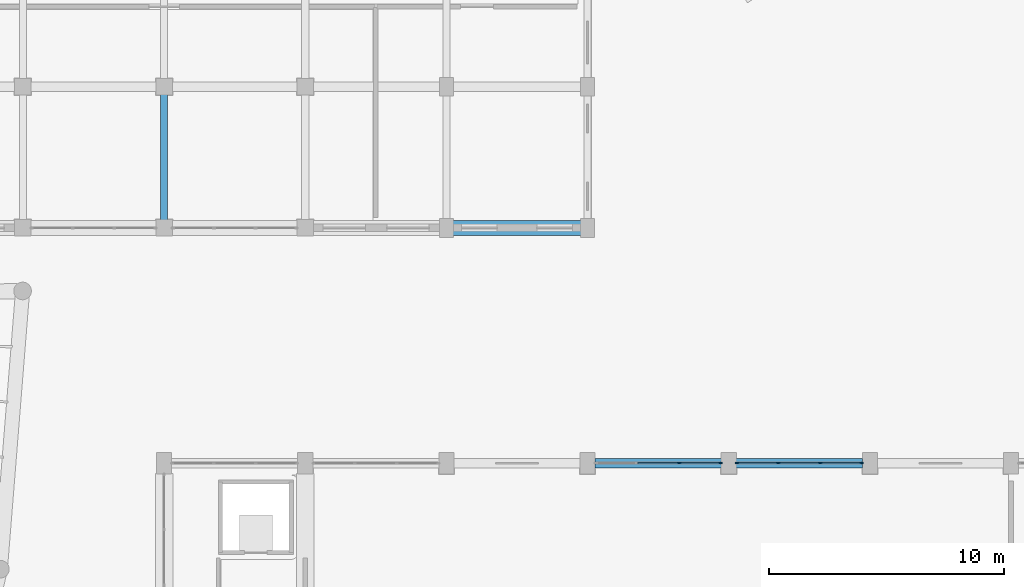
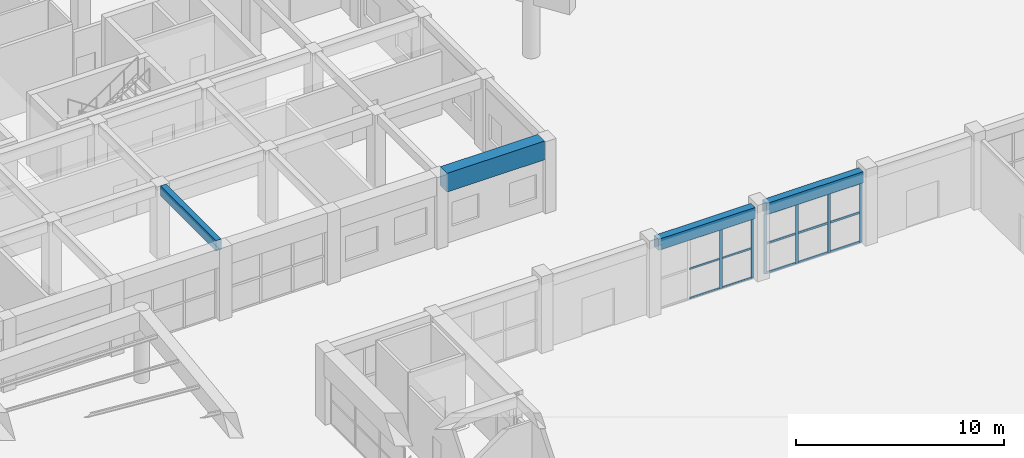
# One storey, part 26 of 76: 21 members, 4 beams, 2 elements without a shape of their own.
"""IFC4 building model written with IfcOpenShell, lengths in metres."""

from ifc_helpers import new_model, si_unit, direction, frame, origin, origin_2d, place, context, subcontext, project, spatial, rectangle, extrude, material, layer, layer_set, material_profile, profile_set, type_object, element, aggregate, save


model = new_model("IFC4")

# Units and contexts
model_context = context("Model", 3, precision=1e-05, world=origin(), true_north=direction((0.0, 1.0)))
body_context = subcontext(model_context, "Body", "Model", "MODEL_VIEW")
ifc_project = project(units=[si_unit("LENGTHUNIT", "METRE"), si_unit("AREAUNIT", "SQUARE_METRE"), si_unit("VOLUMEUNIT", "CUBIC_METRE"), si_unit("PLANEANGLEUNIT", "RADIAN"), si_unit("MASSUNIT", "GRAM", prefix="KILO"), si_unit("POWERUNIT", "WATT"), si_unit("THERMODYNAMICTEMPERATUREUNIT", "KELVIN")], contexts=[model_context])

# Site, building, storey
site_placement = place(None, origin())
site = spatial("IfcSite", under=ifc_project, at=site_placement, CompositionType="ELEMENT")
building_placement = place(site_placement, origin())
building = spatial("IfcBuilding", under=site, at=building_placement, Name="Ruvembo Vaulted Housing Court", CompositionType="ELEMENT")
storey_placement = place(building_placement, origin())
storey = spatial("IfcBuildingStorey", under=building, at=storey_placement, Name="L00", CompositionType="ELEMENT", Elevation=0.0)

# Beams
ifc_material_1 = material(Name="Concrete C35/45", Category="concrete")
ifc_material_profile_1 = material_profile(ifc_material_1, rectangle(XDim=0.300048828125, YDim=0.60009765625, at=origin_2d()), Name="RC 300x600")
ifc_profile_set_1 = profile_set([ifc_material_profile_1], Name="Concrete C35/45")
beam_type_1 = type_object("IfcBeamType", Name="BM-RC-300x600", PredefinedType="BEAM", material=ifc_profile_set_1)
beam_1_placement = place(storey_placement, frame((66.0, 78.3349609375, 3.929931640625), z_axis=(0.0, 1.0, 0.0), x_axis=(-1.0, 0.0, 0.0)))
element("IfcBeam", 1, at=beam_1_placement, inside=storey, type_object=beam_type_1, Name="L00 Grid Beam Y #1011", PredefinedType="BEAM", context=body_context, shape_type="SweptSolid", body=[
    extrude(rectangle(XDim=0.300048828125, YDim=0.60009765625, at=origin_2d()), origin(), (0.0, 0.0, 1.0), 5.330078125),
])
ifc_material_profile_2 = material_profile(ifc_material_1, rectangle(XDim=0.39990234375, YDim=0.64990234375, at=origin_2d()), Name="RC 400x650")
ifc_profile_set_2 = profile_set([ifc_material_profile_2], Name="Concrete C35/45")
beam_type_2 = type_object("IfcBeamType", Name="BM-RC-400x650", PredefinedType="BEAM", material=ifc_profile_set_2)
for number, where, z_axis, x_axis, name in (
    (2, (84.31005859375, 68.0, 3.905029296875), (1.0, 0.0, 0.0), (0.0, 1.0, 0.0), "L00 Grid Beam X #848"),
    (3, (90.31005859375, 68.0, 3.905029296875), (1.0, 0.0, 0.0), (0.0, 1.0, 0.0), "L00 Grid Beam X #849"),
):
    element("IfcBeam", number, at=place(storey_placement, frame(where, z_axis=z_axis, x_axis=x_axis)), inside=storey, type_object=beam_type_2, Name=name, PredefinedType="BEAM", context=body_context, shape_type="SweptSolid", body=[
        extrude(rectangle(XDim=0.39990234375, YDim=0.64990234375, at=origin_2d()), origin(), (0.0, 0.0, 1.0), 5.3798828125),
    ])

# Curtain wall, members
ifc_material_2 = material(Name="Anodised Aluminium and Solar-Control Glass", Category="aluminium")
ifc_layer = layer(ifc_material_2, 0.159912109375, Name="Anodised Aluminium and Solar-Control Glass")
ifc_layer_set = layer_set([ifc_layer], Name="Anodised Aluminium and Solar-Control Glass")
curtain_wall_type = type_object("IfcCurtainWallType", Name="CW-HALL-SIDE", PredefinedType="NOTDEFINED", material=ifc_layer_set)
curtain_wall_1_placement = place(storey_placement, origin())
curtain_wall_1 = element("IfcCurtainWall", 4, at=curtain_wall_1_placement, inside=storey, type_object=curtain_wall_type, Name="L00 Curtain Wall CW-L00-0101", PredefinedType="NOTDEFINED")
ifc_material_3 = material(Name="Anodised Aluminium 6063-T6", Category="aluminium")
ifc_material_profile_3 = material_profile(ifc_material_3, rectangle(XDim=0.06005859375, YDim=0.159912109375, at=origin_2d()), Name="ALU 60x160")
ifc_profile_set_3 = profile_set([ifc_material_profile_3], Name="Anodised Aluminium 6063-T6")
member_type_1 = type_object("IfcMemberType", Name="CW-MULLION-65x150", PredefinedType="MULLION", material=ifc_profile_set_3)
member_1_placement = place(storey_placement, frame((87.8916015625, 68.0, 0.0), z_axis=(0.0, 0.0, 1.0), x_axis=(0.0, 1.0, 0.0)))
member_1 = element("IfcMember", 5, at=member_1_placement, type_object=member_type_1, Name="CW1 mullion 3", PredefinedType="MULLION", context=body_context, shape_type="SweptSolid", body=[
    extrude(rectangle(XDim=0.06005859375, YDim=0.159912109375, at=origin_2d()), origin(), (0.0, 0.0, 1.0), 3.511962890625),
])
member_2_placement = place(storey_placement, frame((89.64501953125, 68.0, 0.0), z_axis=(0.0, 0.0, 1.0), x_axis=(0.0, 1.0, 0.0)))
member_2 = element("IfcMember", 6, at=member_2_placement, type_object=member_type_1, Name="CW1 mullion 4", PredefinedType="MULLION", context=body_context, shape_type="SweptSolid", body=[
    extrude(rectangle(XDim=0.06005859375, YDim=0.159912109375, at=origin_2d()), origin(), (0.0, 0.0, 1.0), 3.511962890625),
])

curtain_wall_2_placement = place(storey_placement, origin())
curtain_wall_2 = element("IfcCurtainWall", 7, at=curtain_wall_2_placement, inside=storey, type_object=curtain_wall_type, Name="L00 Curtain Wall CW-L00-0105", PredefinedType="NOTDEFINED")
member_3_placement = place(storey_placement, frame((90.35498046875, 68.0, 0.0), z_axis=(0.0, 0.0, 1.0), x_axis=(0.0, 1.0, 0.0)))
member_3 = element("IfcMember", 8, at=member_3_placement, type_object=member_type_1, Name="CW1 mullion 1", PredefinedType="MULLION", context=body_context, shape_type="SweptSolid", body=[
    extrude(rectangle(XDim=0.06005859375, YDim=0.159912109375, at=origin_2d()), origin(), (0.0, 0.0, 1.0), 3.511962890625),
])
member_4_placement = place(storey_placement, frame((92.1083984375, 68.0, 0.0), z_axis=(0.0, 0.0, 1.0), x_axis=(0.0, 1.0, 0.0)))
member_4 = element("IfcMember", 9, at=member_4_placement, type_object=member_type_1, Name="CW1 mullion 2", PredefinedType="MULLION", context=body_context, shape_type="SweptSolid", body=[
    extrude(rectangle(XDim=0.06005859375, YDim=0.159912109375, at=origin_2d()), origin(), (0.0, 0.0, 1.0), 3.511962890625),
])
member_5_placement = place(storey_placement, frame((93.8916015625, 68.0, 0.0), z_axis=(0.0, 0.0, 1.0), x_axis=(0.0, 1.0, 0.0)))
member_5 = element("IfcMember", 10, at=member_5_placement, type_object=member_type_1, Name="CW1 mullion 3", PredefinedType="MULLION", context=body_context, shape_type="SweptSolid", body=[
    extrude(rectangle(XDim=0.06005859375, YDim=0.159912109375, at=origin_2d()), origin(), (0.0, 0.0, 1.0), 3.511962890625),
])
member_6_placement = place(storey_placement, frame((95.64501953125, 68.0, 0.0), z_axis=(0.0, 0.0, 1.0), x_axis=(0.0, 1.0, 0.0)))
member_6 = element("IfcMember", 11, at=member_6_placement, type_object=member_type_1, Name="CW1 mullion 4", PredefinedType="MULLION", context=body_context, shape_type="SweptSolid", body=[
    extrude(rectangle(XDim=0.06005859375, YDim=0.159912109375, at=origin_2d()), origin(), (0.0, 0.0, 1.0), 3.511962890625),
])
ifc_material_profile_4 = material_profile(ifc_material_3, rectangle(XDim=0.06005859375, YDim=0.1201171875, at=origin_2d()), Name="ALU 60x120")
ifc_profile_set_4 = profile_set([ifc_material_profile_4], Name="Anodised Aluminium 6063-T6")
member_type_2 = type_object("IfcMemberType", Name="CW-TRANSOM-65x120", PredefinedType="USERDEFINED", material=ifc_profile_set_4)
member_7_placement = place(storey_placement, frame((90.385009765625, 68.0, 0.030029296875), z_axis=(1.0, 0.0, 0.0), x_axis=(0.0, 1.0, 0.0)))
member_7 = element("IfcMember", 12, at=member_7_placement, type_object=member_type_2, Name="CW1 transom 1.1", ObjectType="TRANSOM", PredefinedType="USERDEFINED", context=body_context, shape_type="SweptSolid", body=[
    extrude(rectangle(XDim=0.06005859375, YDim=0.1201171875, at=origin_2d()), origin(), (0.0, 0.0, 1.0), 1.693359375),
])
member_8_placement = place(storey_placement, frame((90.385009765625, 68.0, 1.756103515625), z_axis=(1.0, 0.0, 0.0), x_axis=(0.0, 1.0, 0.0)))
member_8 = element("IfcMember", 13, at=member_8_placement, type_object=member_type_2, Name="CW1 transom 1.2", ObjectType="TRANSOM", PredefinedType="USERDEFINED", context=body_context, shape_type="SweptSolid", body=[
    extrude(rectangle(XDim=0.06005859375, YDim=0.1201171875, at=origin_2d()), origin(), (0.0, 0.0, 1.0), 1.693359375),
])
member_9_placement = place(storey_placement, frame((90.385009765625, 68.0, 3.48193359375), z_axis=(1.0, 0.0, 0.0), x_axis=(0.0, 1.0, 0.0)))
member_9 = element("IfcMember", 14, at=member_9_placement, type_object=member_type_2, Name="CW1 transom 1.3", ObjectType="TRANSOM", PredefinedType="USERDEFINED", context=body_context, shape_type="SweptSolid", body=[
    extrude(rectangle(XDim=0.06005859375, YDim=0.1201171875, at=origin_2d()), origin(), (0.0, 0.0, 1.0), 1.693359375),
])
member_10_placement = place(storey_placement, frame((92.138427734375, 68.0, 0.030029296875), z_axis=(1.0, 0.0, 0.0), x_axis=(0.0, 1.0, 0.0)))
member_10 = element("IfcMember", 15, at=member_10_placement, type_object=member_type_2, Name="CW1 transom 2.1", ObjectType="TRANSOM", PredefinedType="USERDEFINED", context=body_context, shape_type="SweptSolid", body=[
    extrude(rectangle(XDim=0.06005859375, YDim=0.1201171875, at=origin_2d()), origin(), (0.0, 0.0, 1.0), 1.72314453125),
])
member_11_placement = place(storey_placement, frame((92.138427734375, 68.0, 1.756103515625), z_axis=(1.0, 0.0, 0.0), x_axis=(0.0, 1.0, 0.0)))
member_11 = element("IfcMember", 16, at=member_11_placement, type_object=member_type_2, Name="CW1 transom 2.2", ObjectType="TRANSOM", PredefinedType="USERDEFINED", context=body_context, shape_type="SweptSolid", body=[
    extrude(rectangle(XDim=0.06005859375, YDim=0.1201171875, at=origin_2d()), origin(), (0.0, 0.0, 1.0), 1.72314453125),
])
member_12_placement = place(storey_placement, frame((92.138427734375, 68.0, 3.48193359375), z_axis=(1.0, 0.0, 0.0), x_axis=(0.0, 1.0, 0.0)))
member_12 = element("IfcMember", 17, at=member_12_placement, type_object=member_type_2, Name="CW1 transom 2.3", ObjectType="TRANSOM", PredefinedType="USERDEFINED", context=body_context, shape_type="SweptSolid", body=[
    extrude(rectangle(XDim=0.06005859375, YDim=0.1201171875, at=origin_2d()), origin(), (0.0, 0.0, 1.0), 1.72314453125),
])
member_13_placement = place(storey_placement, frame((93.921630859375, 68.0, 0.030029296875), z_axis=(1.0, 0.0, 0.0), x_axis=(0.0, 1.0, 0.0)))
member_13 = element("IfcMember", 18, at=member_13_placement, type_object=member_type_2, Name="CW1 transom 3.1", ObjectType="TRANSOM", PredefinedType="USERDEFINED", context=body_context, shape_type="SweptSolid", body=[
    extrude(rectangle(XDim=0.06005859375, YDim=0.1201171875, at=origin_2d()), origin(), (0.0, 0.0, 1.0), 1.693359375),
])
member_14_placement = place(storey_placement, frame((93.921630859375, 68.0, 1.756103515625), z_axis=(1.0, 0.0, 0.0), x_axis=(0.0, 1.0, 0.0)))
member_14 = element("IfcMember", 19, at=member_14_placement, type_object=member_type_2, Name="CW1 transom 3.2", ObjectType="TRANSOM", PredefinedType="USERDEFINED", context=body_context, shape_type="SweptSolid", body=[
    extrude(rectangle(XDim=0.06005859375, YDim=0.1201171875, at=origin_2d()), origin(), (0.0, 0.0, 1.0), 1.693359375),
])
member_15_placement = place(storey_placement, frame((93.921630859375, 68.0, 3.48193359375), z_axis=(1.0, 0.0, 0.0), x_axis=(0.0, 1.0, 0.0)))
member_15 = element("IfcMember", 20, at=member_15_placement, type_object=member_type_2, Name="CW1 transom 3.3", ObjectType="TRANSOM", PredefinedType="USERDEFINED", context=body_context, shape_type="SweptSolid", body=[
    extrude(rectangle(XDim=0.06005859375, YDim=0.1201171875, at=origin_2d()), origin(), (0.0, 0.0, 1.0), 1.693359375),
])
aggregate(curtain_wall_2, [member_3, member_4, member_5, member_6, member_7, member_8, member_9, member_10, member_11, member_12, member_13, member_14, member_15])

# Member
ifc_material_profile_5 = material_profile(ifc_material_3, rectangle(XDim=0.06005859375, YDim=0.10009765625, at=origin_2d()), Name="ALU 60x100")
ifc_profile_set_5 = profile_set([ifc_material_profile_5], Name="Anodised Aluminium 6063-T6")
member_type_3 = type_object("IfcMemberType", Name="CW-TRN-60x100", PredefinedType="USERDEFINED", material=ifc_profile_set_5)
member_16_placement = place(storey_placement, frame((86.138427734375, 68.0, 0.030029296875), z_axis=(1.0, 0.0, 0.0), x_axis=(0.0, 1.0, 0.0)))
member_16 = element("IfcMember", 21, at=member_16_placement, type_object=member_type_3, Name="CW1 transom 2.1", ObjectType="TRANSOM", PredefinedType="USERDEFINED", context=body_context, shape_type="SweptSolid", body=[
    extrude(rectangle(XDim=0.06005859375, YDim=0.10009765625, at=origin_2d()), origin(), (0.0, 0.0, 1.0), 1.72314453125),
])

member_17_placement = place(storey_placement, frame((86.138427734375, 68.0, 1.756103515625), z_axis=(1.0, 0.0, 0.0), x_axis=(0.0, 1.0, 0.0)))
member_17 = element("IfcMember", 22, at=member_17_placement, type_object=member_type_3, Name="CW1 transom 2.2", ObjectType="TRANSOM", PredefinedType="USERDEFINED", context=body_context, shape_type="SweptSolid", body=[
    extrude(rectangle(XDim=0.06005859375, YDim=0.10009765625, at=origin_2d()), origin(), (0.0, 0.0, 1.0), 1.72314453125),
])

member_18_placement = place(storey_placement, frame((86.138427734375, 68.0, 3.48193359375), z_axis=(1.0, 0.0, 0.0), x_axis=(0.0, 1.0, 0.0)))
member_18 = element("IfcMember", 23, at=member_18_placement, type_object=member_type_3, Name="CW1 transom 2.3", ObjectType="TRANSOM", PredefinedType="USERDEFINED", context=body_context, shape_type="SweptSolid", body=[
    extrude(rectangle(XDim=0.06005859375, YDim=0.10009765625, at=origin_2d()), origin(), (0.0, 0.0, 1.0), 1.72314453125),
])

member_19_placement = place(storey_placement, frame((87.921630859375, 68.0, 0.030029296875), z_axis=(1.0, 0.0, 0.0), x_axis=(0.0, 1.0, 0.0)))
member_19 = element("IfcMember", 24, at=member_19_placement, type_object=member_type_3, Name="CW1 transom 3.1", ObjectType="TRANSOM", PredefinedType="USERDEFINED", context=body_context, shape_type="SweptSolid", body=[
    extrude(rectangle(XDim=0.06005859375, YDim=0.10009765625, at=origin_2d()), origin(), (0.0, 0.0, 1.0), 1.693359375),
])

member_20_placement = place(storey_placement, frame((87.921630859375, 68.0, 1.756103515625), z_axis=(1.0, 0.0, 0.0), x_axis=(0.0, 1.0, 0.0)))
member_20 = element("IfcMember", 25, at=member_20_placement, type_object=member_type_3, Name="CW1 transom 3.2", ObjectType="TRANSOM", PredefinedType="USERDEFINED", context=body_context, shape_type="SweptSolid", body=[
    extrude(rectangle(XDim=0.06005859375, YDim=0.10009765625, at=origin_2d()), origin(), (0.0, 0.0, 1.0), 1.693359375),
])

member_21_placement = place(storey_placement, frame((87.921630859375, 68.0, 3.48193359375), z_axis=(1.0, 0.0, 0.0), x_axis=(0.0, 1.0, 0.0)))
member_21 = element("IfcMember", 26, at=member_21_placement, type_object=member_type_3, Name="CW1 transom 3.3", ObjectType="TRANSOM", PredefinedType="USERDEFINED", context=body_context, shape_type="SweptSolid", body=[
    extrude(rectangle(XDim=0.06005859375, YDim=0.10009765625, at=origin_2d()), origin(), (0.0, 0.0, 1.0), 1.693359375),
])

aggregate(curtain_wall_1, [member_1, member_2, member_16, member_17, member_18, member_19, member_20, member_21])

# Beam
ifc_material_4 = material(Name="Concrete C40/50", Category="concrete")
ifc_material_profile_6 = material_profile(ifc_material_4, rectangle(XDim=0.64990234375, YDim=1.10009765625, at=origin_2d()), Name="RC 650x1100")
ifc_profile_set_6 = profile_set([ifc_material_profile_6], Name="Concrete C40/50")
beam_type_3 = type_object("IfcBeamType", Name="TB-RC-650x1100", PredefinedType="BEAM", material=ifc_profile_set_6)
beam_2_placement = place(storey_placement, frame((78.284912109375, 78.0, 3.679931640625), z_axis=(1.0, 0.0, 0.0), x_axis=(0.0, 1.0, 0.0)))
element("IfcBeam", 27, at=beam_2_placement, inside=storey, type_object=beam_type_3, Name="L00 Grid Beam X #863", PredefinedType="BEAM", context=body_context, shape_type="SweptSolid", body=[
    extrude(rectangle(XDim=0.64990234375, YDim=1.10009765625, at=origin_2d()), origin(), (0.0, 0.0, 1.0), 5.43017578125),
])

save(model, "model.ifc")
